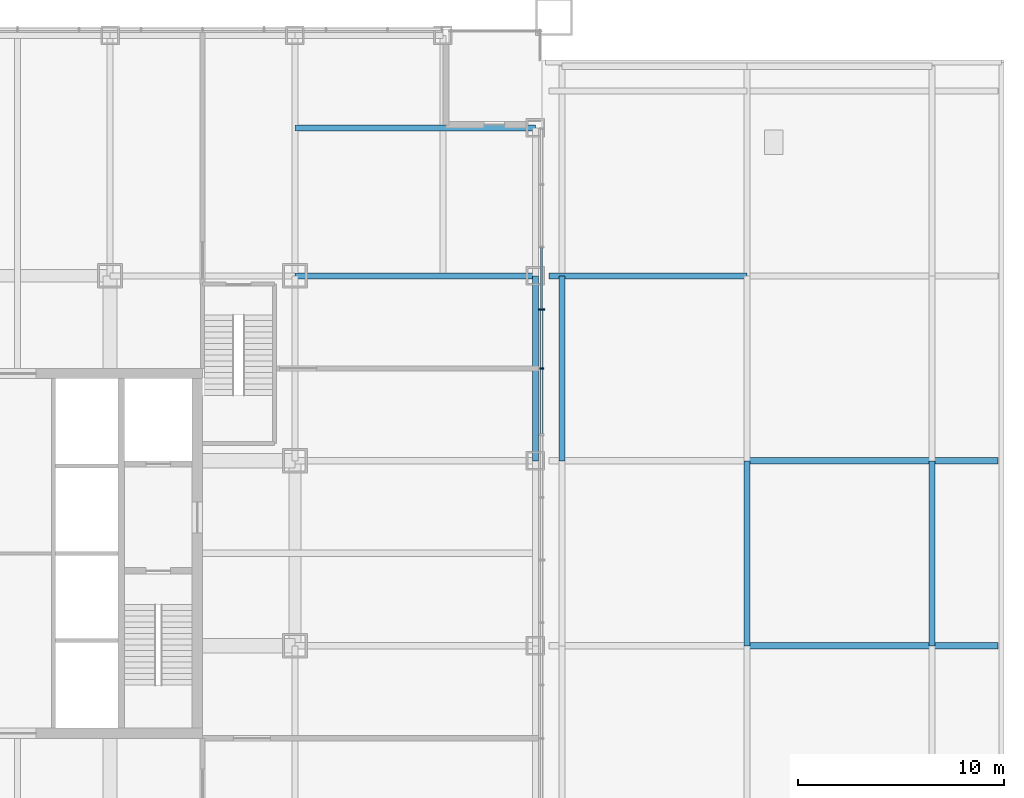
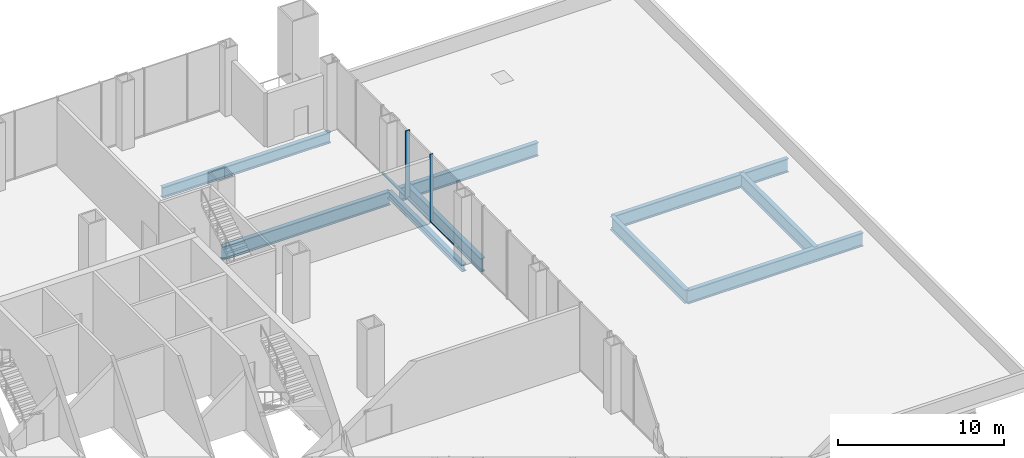
# One storey, part 10 of 16: 9 beams, 5 members, 1 element without a shape of its own.
"""IFC4 building model written with IfcOpenShell, lengths in metres."""

from ifc_helpers import new_model, si_unit, direction, frame, origin, origin_2d, place, context, subcontext, project, spatial, rectangle, i_section, extrude, material, layer, layer_set, material_profile, profile_set, type_object, element, aggregate, save


model = new_model("IFC4")

# Units and contexts
model_context = context("Model", 3, precision=1e-05, world=origin(), true_north=direction((0.0, 1.0)))
body_context = subcontext(model_context, "Body", "Model", "MODEL_VIEW")
ifc_project = project(units=[si_unit("LENGTHUNIT", "METRE"), si_unit("AREAUNIT", "SQUARE_METRE"), si_unit("VOLUMEUNIT", "CUBIC_METRE"), si_unit("PLANEANGLEUNIT", "RADIAN"), si_unit("MASSUNIT", "GRAM", prefix="KILO")], contexts=[model_context])

# Site, building, storey
site_placement = place(None, origin())
site = spatial("IfcSite", under=ifc_project, at=site_placement, CompositionType="ELEMENT")
building_placement = place(site_placement, origin())
building = spatial("IfcBuilding", under=site, at=building_placement, Name="Malebo Sky Hospital", CompositionType="ELEMENT")
storey_placement = place(building_placement, frame((0.0, 0.0, 26.0)))
storey = spatial("IfcBuildingStorey", under=building, at=storey_placement, Name="L05", CompositionType="ELEMENT", Elevation=26.0)

# Curtain wall, members
ifc_material_1 = material(Name="Anodised aluminium, natural silver", Category="aluminium")
ifc_layer = layer(ifc_material_1, 0.25)
ifc_layer_set = layer_set([ifc_layer], Name="PLANT LOUVRE SCREEN")
curtain_wall_type = type_object("IfcCurtainWallType", Name="PLANT LOUVRE SCREEN", PredefinedType="NOTDEFINED", material=ifc_layer_set)
curtain_wall_placement = place(storey_placement, origin())
curtain_wall = element("IfcCurtainWall", 1, at=curtain_wall_placement, inside=storey, type_object=curtain_wall_type, Name="PLANT curtain wall E", PredefinedType="NOTDEFINED")
ifc_material_profile_1 = material_profile(ifc_material_1, rectangle(XDim=0.14990234375, YDim=0.10009765625, at=origin_2d()), Name="ALUMINIUM TRANSOM 150x100")
ifc_profile_set_1 = profile_set([ifc_material_profile_1], Name="Anodised aluminium, natural silver")
member_type_1 = type_object("IfcMemberType", Name="ALUMINIUM TRANSOM 150x100", PredefinedType="USERDEFINED", material=ifc_profile_set_1)
member_1_placement = place(storey_placement, frame((85.5, 76.8701171875, 0.050048828125), z_axis=(0.0, -1.0, 0.0), x_axis=(1.0, 0.0, 0.0)))
member_1 = element("IfcMember", 2, at=member_1_placement, type_object=member_type_1, Name="Transom 3", ObjectType="TRANSOM", PredefinedType="USERDEFINED", context=body_context, shape_type="SweptSolid", body=[
    extrude(rectangle(XDim=0.14990234375, YDim=0.10009765625, at=origin_2d()), origin(), (0.0, 0.0, 1.0), 2.97119140625),
])
member_2_placement = place(storey_placement, frame((85.5, 73.823974609375, 0.050048828125), z_axis=(0.0, -1.0, 0.0), x_axis=(1.0, 0.0, 0.0)))
member_2 = element("IfcMember", 3, at=member_2_placement, type_object=member_type_1, Name="Transom 4", ObjectType="TRANSOM", PredefinedType="USERDEFINED", context=body_context, shape_type="SweptSolid", body=[
    extrude(rectangle(XDim=0.14990234375, YDim=0.10009765625, at=origin_2d()), origin(), (0.0, 0.0, 1.0), 2.786376953125),
])
member_3_placement = place(storey_placement, frame((85.5, 70.96240234375, 0.050048828125), z_axis=(0.0, -1.0, 0.0), x_axis=(1.0, 0.0, 0.0)))
member_3 = element("IfcMember", 4, at=member_3_placement, type_object=member_type_1, Name="Transom 5", ObjectType="TRANSOM", PredefinedType="USERDEFINED", context=body_context, shape_type="SweptSolid", body=[
    extrude(rectangle(XDim=0.14990234375, YDim=0.10009765625, at=origin_2d()), origin(), (0.0, 0.0, 1.0), 3.15576171875),
])
ifc_material_profile_2 = material_profile(ifc_material_1, rectangle(XDim=0.074951171875, YDim=0.199951171875, at=origin_2d()), Name="CW5 ALUMINIUM FIN MULLION 75x200")
ifc_profile_set_2 = profile_set([ifc_material_profile_2], Name="Anodised aluminium, natural silver")
member_type_2 = type_object("IfcMemberType", Name="CW5 ALUMINIUM FIN MULLION 75x200", PredefinedType="MULLION", material=ifc_profile_set_2)
member_4_placement = place(storey_placement, frame((85.5, 71.0, 0.0), z_axis=(0.0, 0.0, 1.0), x_axis=(0.0, -1.0, 0.0)))
member_4 = element("IfcMember", 5, at=member_4_placement, type_object=member_type_2, Name="Fin mullion 5", PredefinedType="MULLION", context=body_context, shape_type="SweptSolid", body=[
    extrude(rectangle(XDim=0.074951171875, YDim=0.199951171875, at=origin_2d()), origin(), (0.0, 0.0, 1.0), 5.0),
])
ifc_material_profile_3 = material_profile(ifc_material_1, rectangle(XDim=0.074951171875, YDim=0.300048828125, at=origin_2d()), Name="CW5 ALUMINIUM FIN MULLION 75x300")
ifc_profile_set_3 = profile_set([ifc_material_profile_3], Name="Anodised aluminium, natural silver")
member_type_3 = type_object("IfcMemberType", Name="CW5 ALUMINIUM FIN MULLION 75x300", PredefinedType="MULLION", material=ifc_profile_set_3)
member_5_placement = place(storey_placement, frame((85.5, 73.861572265625, 0.0), z_axis=(0.0, 0.0, 1.0), x_axis=(0.0, -1.0, 0.0)))
member_5 = element("IfcMember", 6, at=member_5_placement, type_object=member_type_3, Name="Fin mullion 4", PredefinedType="MULLION", context=body_context, shape_type="SweptSolid", body=[
    extrude(rectangle(XDim=0.074951171875, YDim=0.300048828125, at=origin_2d()), origin(), (0.0, 0.0, 1.0), 5.0),
])
aggregate(curtain_wall, [member_5, member_4, member_1, member_2, member_3])

# Beams
ifc_material_2 = material(Name="Steel S355", Category="steel")
ifc_material_profile_4 = material_profile(ifc_material_2, i_section(OverallWidth=0.305908203125, OverallDepth=0.52392578125, WebThickness=0.02099609375, FlangeThickness=0.0400390625, FilletRadius=0.027099609375, at=origin_2d()), Name="HEM 500")
ifc_profile_set_4 = profile_set([ifc_material_profile_4], Name="Steel S355")
beam_type_1 = type_object("IfcBeamType", Name="EDGE BEAM HEM 500", PredefinedType="BEAM", material=ifc_profile_set_4)
beam_1_placement = place(storey_placement, frame((85.199951171875, 66.5, -0.56201171875), z_axis=(0.0, 1.0, 0.0), x_axis=(-1.0, 0.0, 0.0)))
element("IfcBeam", 7, at=beam_1_placement, inside=storey, type_object=beam_type_1, Name="Beam 032 L05", PredefinedType="BEAM", context=body_context, shape_type="SweptSolid", body=[
    extrude(i_section(OverallWidth=0.305908203125, OverallDepth=0.52392578125, WebThickness=0.02099609375, FlangeThickness=0.0400390625, FilletRadius=0.027099609375, at=origin_2d()), origin(), (0.0, 0.0, 1.0), 9.0),
])
ifc_material_profile_5 = material_profile(ifc_material_2, i_section(OverallWidth=0.300048828125, OverallDepth=1.0, WebThickness=0.01904296875, FlangeThickness=0.035888671875, FilletRadius=0.030029296875, at=origin_2d()), Name="HEB 1000")
ifc_profile_set_5 = profile_set([ifc_material_profile_5], Name="Steel S355")
beam_type_2 = type_object("IfcBeamType", Name="FLOOR BEAM HEB 1000", PredefinedType="BEAM", material=ifc_profile_set_5)
for number, where, z_axis, x_axis, name in (
    (8, (86.5, 66.5, -0.800048828125), (0.0, 1.0, 0.0), (-1.0, 0.0, 0.0), "Beam E004 L05"),
    (9, (95.5, 57.5, -0.800048828125), (0.0, 1.0, 0.0), (-1.0, 0.0, 0.0), "Beam E008 L05"),
    (10, (104.5, 57.5, -0.800048828125), (0.0, 1.0, 0.0), (-1.0, 0.0, 0.0), "Beam E013 L05"),
):
    element("IfcBeam", number, at=place(storey_placement, frame(where, z_axis=z_axis, x_axis=x_axis)), inside=storey, type_object=beam_type_2, Name=name, PredefinedType="BEAM", context=body_context, shape_type="SweptSolid", body=[
        extrude(i_section(OverallWidth=0.300048828125, OverallDepth=1.0, WebThickness=0.01904296875, FlangeThickness=0.035888671875, FilletRadius=0.030029296875, at=origin_2d()), origin(), (0.0, 0.0, 1.0), 9.0),
    ])
for number, where, z_axis, x_axis, name in (
    (11, (95.5, 57.5, -0.800048828125), (1.0, 0.0, 0.0), (0.0, 1.0, 0.0), "Beam E021 L05"),
    (12, (95.5, 66.5, -0.800048828125), (1.0, 0.0, 0.0), (0.0, 1.0, 0.0), "Beam E023 L05"),
):
    element("IfcBeam", number, at=place(storey_placement, frame(where, z_axis=z_axis, x_axis=x_axis)), inside=storey, type_object=beam_type_2, Name=name, PredefinedType="BEAM", context=body_context, shape_type="SweptSolid", body=[
        extrude(i_section(OverallWidth=0.300048828125, OverallDepth=1.0, WebThickness=0.01904296875, FlangeThickness=0.035888671875, FilletRadius=0.030029296875, at=origin_2d()), origin(), (0.0, 0.0, 1.0), 12.199951171875),
    ])
beam_2_placement = place(storey_placement, frame((85.85009765625, 75.5, -0.800048828125), z_axis=(1.0, 0.0, 0.0), x_axis=(0.0, 1.0, 0.0)))
element("IfcBeam", 13, at=beam_2_placement, inside=storey, type_object=beam_type_2, Name="Beam E024 L05", PredefinedType="BEAM", context=body_context, shape_type="SweptSolid", body=[
    extrude(i_section(OverallWidth=0.300048828125, OverallDepth=1.0, WebThickness=0.01904296875, FlangeThickness=0.035888671875, FilletRadius=0.030029296875, at=origin_2d()), origin(), (0.0, 0.0, 1.0), 9.64990234375),
])
ifc_material_profile_6 = material_profile(ifc_material_2, i_section(OverallWidth=0.300048828125, OverallDepth=0.800048828125, WebThickness=0.017578125, FlangeThickness=0.032958984375, FilletRadius=0.030029296875, at=origin_2d()), Name="HEB 800")
ifc_profile_set_6 = profile_set([ifc_material_profile_6], Name="Steel S355")
beam_type_3 = type_object("IfcBeamType", Name="FLOOR BEAM HEB 800", PredefinedType="BEAM", material=ifc_profile_set_6)
beam_3_placement = place(storey_placement, frame((73.5, 82.699951171875, -0.699951171875), z_axis=(1.0, 0.0, 0.0), x_axis=(0.0, 1.0, 0.0)))
element("IfcBeam", 14, at=beam_3_placement, inside=storey, type_object=beam_type_3, Name="Beam 062 L05", PredefinedType="BEAM", context=body_context, shape_type="SweptSolid", body=[
    extrude(i_section(OverallWidth=0.300048828125, OverallDepth=0.800048828125, WebThickness=0.017578125, FlangeThickness=0.032958984375, FilletRadius=0.030029296875, at=origin_2d()), origin(), (0.0, 0.0, 1.0), 11.699951171875),
])
ifc_material_profile_7 = material_profile(ifc_material_2, i_section(OverallWidth=0.300048828125, OverallDepth=1.0, WebThickness=0.01904296875, FlangeThickness=0.035888671875, FilletRadius=0.030029296875, at=origin_2d()), Name="HEB 1000")
ifc_profile_set_7 = profile_set([ifc_material_profile_7], Name="Steel S355")
beam_type_4 = type_object("IfcBeamType", Name="FLOOR GIRDER HEB 1000", PredefinedType="BEAM", material=ifc_profile_set_7)
beam_4_placement = place(storey_placement, frame((73.5, 75.5, -0.800048828125), z_axis=(1.0, 0.0, 0.0), x_axis=(0.0, 1.0, 0.0)))
element("IfcBeam", 15, at=beam_4_placement, inside=storey, type_object=beam_type_4, Name="Beam 060 L05", PredefinedType="BEAM", context=body_context, shape_type="SweptSolid", body=[
    extrude(i_section(OverallWidth=0.300048828125, OverallDepth=1.0, WebThickness=0.01904296875, FlangeThickness=0.035888671875, FilletRadius=0.030029296875, at=origin_2d()), origin(), (0.0, 0.0, 1.0), 11.699951171875),
])

save(model, "model.ifc")
